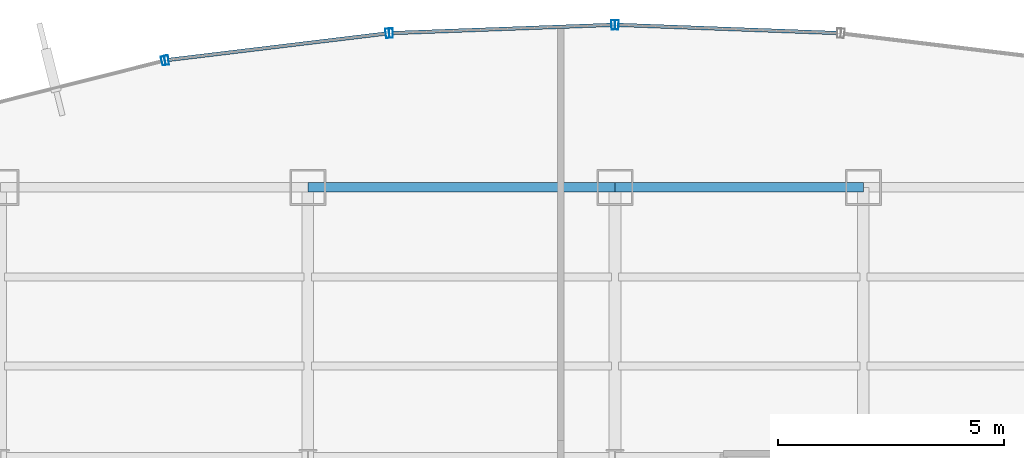
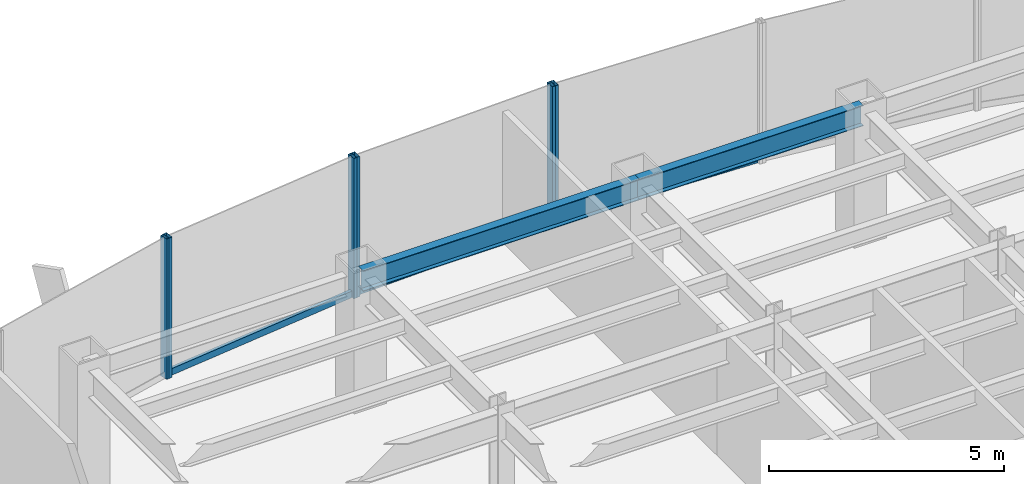
# One storey, part 16 of 26: 9 members, 2 beams, 4 elements without a shape of their own.
"""IFC4 building model written with IfcOpenShell, lengths in metres."""

from ifc_helpers import new_model, si_unit, derived_unit, direction, frame, origin, origin_2d, place, context, subcontext, project, spatial, hollow_rectangle, i_section, extrude, source, transform, mapped, material, material_profile, profile_set, type_object, element, aggregate, save


model = new_model("IFC4")

# Units and contexts
model_context = context("Model", 3, precision=1e-05, world=origin(), true_north=direction((0.0, 1.0)))
body_context = subcontext(model_context, "Body", "Model", "MODEL_VIEW")
ifc_project = project(units=[si_unit("LENGTHUNIT", "METRE"), si_unit("AREAUNIT", "SQUARE_METRE"), si_unit("VOLUMEUNIT", "CUBIC_METRE"), si_unit("PLANEANGLEUNIT", "RADIAN"), si_unit("MASSUNIT", "GRAM", prefix="KILO"), derived_unit("THERMALTRANSMITTANCEUNIT", [(si_unit("POWERUNIT", "WATT"), 1), (si_unit("LENGTHUNIT", "METRE"), -2), (si_unit("THERMODYNAMICTEMPERATUREUNIT", "KELVIN"), -1)])], contexts=[model_context])

# Site, building, storey
site_placement = place(None, origin())
site = spatial("IfcSite", under=ifc_project, at=site_placement, CompositionType="ELEMENT")
building_placement = place(site_placement, origin())
building = spatial("IfcBuilding", under=site, at=building_placement, Name="Skarnbrae Concourse Arena and Tower", CompositionType="ELEMENT")
storey_placement = place(building_placement, frame((0.0, 0.0, 117.85009765625)))
storey = spatial("IfcBuildingStorey", under=building, at=storey_placement, Name="L29", CompositionType="ELEMENT", Elevation=117.85009765625)

# Beams
ifc_material_1 = material(Name="Steel CSA G40.21 350W", Category="steel")
ifc_material_profile_1 = material_profile(ifc_material_1, i_section(OverallWidth=0.208984375, OverallDepth=0.532958984375, WebThickness=0.01025390625, FlangeThickness=0.015625, at=origin_2d()), Name="W530X92")
ifc_profile_set_1 = profile_set([ifc_material_profile_1], Name="Steel CSA G40.21 350W")
beam_type = type_object("IfcBeamType", Name="BM-SPAN-W530X92", PredefinedType="SPANDREL", material=ifc_profile_set_1)
shared_shape_1 = source(origin(), body_context, "Body", "SweptSolid", [
    extrude(i_section(OverallWidth=0.208984375, OverallDepth=0.532958984375, WebThickness=0.01025390625, FlangeThickness=0.015625, at=origin_2d()), origin(), (0.0, 0.0, 1.0), 6.800048828125),
])
beam_1_placement = place(storey_placement, frame((21.199951171875, 40.39990234375, 3.13330078125), z_axis=(1.0, 0.0, 0.0), x_axis=(0.0, 1.0, 0.0)))
element("IfcBeam", 1, at=beam_1_placement, inside=storey, type_object=beam_type, Name="L29 Perimeter spandrel Y40.4-2", PredefinedType="SPANDREL", context=body_context, shape_type="MappedRepresentation", body=[
    mapped(shared_shape_1, transform((0.0, 0.0, 0.0))),
])
shared_shape_2 = source(origin(), body_context, "Body", "SweptSolid", [
    extrude(i_section(OverallWidth=0.208984375, OverallDepth=0.532958984375, WebThickness=0.01025390625, FlangeThickness=0.015625, at=origin_2d()), origin(), (0.0, 0.0, 1.0), 5.5),
])
beam_2_placement = place(storey_placement, frame((28.0, 40.39990234375, 3.13330078125), z_axis=(1.0, 0.0, 0.0), x_axis=(0.0, 1.0, 0.0)))
element("IfcBeam", 2, at=beam_2_placement, inside=storey, type_object=beam_type, Name="L29 Perimeter spandrel Y40.4-3", PredefinedType="SPANDREL", context=body_context, shape_type="MappedRepresentation", body=[
    mapped(shared_shape_2, transform((0.0, 0.0, 0.0))),
])

# Curtain wall, member
ifc_material_2 = material(Name="Bronze anodised aluminium 6063-T6", Category="aluminium")
curtain_wall_type_1 = type_object("IfcCurtainWallType", Name="CW-SYS-03-PORTAL", PredefinedType="USERDEFINED", material=ifc_material_2)
curtain_wall_1_placement = place(storey_placement, origin())
curtain_wall_1 = element("IfcCurtainWall", 3, at=curtain_wall_1_placement, inside=storey, type_object=curtain_wall_type_1, Name="L29 Unitised curtain wall CW-L29-E11", ObjectType="UNITISED CURTAIN WALL", PredefinedType="USERDEFINED")
ifc_material_profile_2 = material_profile(ifc_material_2, hollow_rectangle(XDim=0.080078125, YDim=0.2099609375, WallThickness=0.00439453125, at=origin_2d()), Name="ALU-MULL-80X210")
ifc_profile_set_2 = profile_set([ifc_material_profile_2], Name="Bronze anodised aluminium 6063-T6")
member_type_1 = type_object("IfcMemberType", Name="CWM-CW-03", PredefinedType="MULLION", material=ifc_profile_set_2)
shared_shape_3 = source(origin(), body_context, "Body", "SweptSolid", [
    extrude(hollow_rectangle(XDim=0.080078125, YDim=0.2099609375, WallThickness=0.00439453125, at=origin_2d()), origin(), (0.0, 0.0, 1.0), 3.64990234375),
])
member_1_placement = place(storey_placement, frame((28.0400390625, 43.99853515625, 0.0), z_axis=(0.0, 0.0, 1.0), x_axis=(-0.999308486252, 0.037182647889, 0.0)))
member_1 = element("IfcMember", 4, at=member_1_placement, type_object=member_type_1, Name="CW-L29-E11 Mullion 2", PredefinedType="MULLION", context=body_context, shape_type="MappedRepresentation", body=[
    mapped(shared_shape_3, transform((0.0, 0.0, 0.0))),
])

# Curtain wall, members
curtain_wall_2_placement = place(storey_placement, origin())
curtain_wall_2 = element("IfcCurtainWall", 5, at=curtain_wall_2_placement, inside=storey, type_object=curtain_wall_type_1, Name="L29 Unitised curtain wall CW-L29-E12", ObjectType="UNITISED CURTAIN WALL", PredefinedType="USERDEFINED")
member_2_placement = place(storey_placement, frame((27.9599609375, 43.99853515625, 0.0), z_axis=(0.0, 0.0, 1.0), x_axis=(-0.999308486252, -0.037182647889, 0.0)))
member_2 = element("IfcMember", 6, at=member_2_placement, type_object=member_type_1, Name="CW-L29-E12 Mullion 1", PredefinedType="MULLION", context=body_context, shape_type="MappedRepresentation", body=[
    mapped(shared_shape_3, transform((0.0, 0.0, 0.0))),
])
member_3_placement = place(storey_placement, frame((23.041015625, 43.8154296875, 0.0), z_axis=(0.0, 0.0, 1.0), x_axis=(-0.999308486252, -0.037182647889, 0.0)))
member_3 = element("IfcMember", 7, at=member_3_placement, type_object=member_type_1, Name="CW-L29-E12 Mullion 2", PredefinedType="MULLION", context=body_context, shape_type="MappedRepresentation", body=[
    mapped(shared_shape_3, transform((0.0, 0.0, 0.0))),
])

curtain_wall_3_placement = place(storey_placement, origin())
curtain_wall_3 = element("IfcCurtainWall", 8, at=curtain_wall_3_placement, inside=storey, type_object=curtain_wall_type_1, Name="L29 Unitised curtain wall CW-L29-E13", ObjectType="UNITISED CURTAIN WALL", PredefinedType="USERDEFINED")
member_4_placement = place(storey_placement, frame((22.96142578125, 43.80908203125, 0.0), z_axis=(0.0, 0.0, 1.0), x_axis=(-0.992749371969, -0.120202680731, 0.0)))
member_4 = element("IfcMember", 9, at=member_4_placement, type_object=member_type_1, Name="CW-L29-E13 Mullion 1", PredefinedType="MULLION", context=body_context, shape_type="MappedRepresentation", body=[
    mapped(shared_shape_3, transform((0.0, 0.0, 0.0))),
])
member_5_placement = place(storey_placement, frame((18.075439453125, 43.217529296875, 0.0), z_axis=(0.0, 0.0, 1.0), x_axis=(-0.992749371969, -0.120202680731, 0.0)))
member_5 = element("IfcMember", 10, at=member_5_placement, type_object=member_type_1, Name="CW-L29-E13 Mullion 2", PredefinedType="MULLION", context=body_context, shape_type="MappedRepresentation", body=[
    mapped(shared_shape_3, transform((0.0, 0.0, 0.0))),
])

# Curtain wall, member
curtain_wall_type_2 = type_object("IfcCurtainWallType", Name="CW-SYS-04-MIDZONE", PredefinedType="USERDEFINED", material=ifc_material_2)
curtain_wall_4_placement = place(storey_placement, origin())
curtain_wall_4 = element("IfcCurtainWall", 11, at=curtain_wall_4_placement, inside=storey, type_object=curtain_wall_type_2, Name="L29 Unitised curtain wall CW-L29-E14", ObjectType="UNITISED CURTAIN WALL", PredefinedType="USERDEFINED")
ifc_material_profile_3 = material_profile(ifc_material_2, hollow_rectangle(XDim=0.074951171875, YDim=0.195068359375, WallThickness=0.00439453125, at=origin_2d()), Name="ALU-MULL-75X195")
ifc_profile_set_3 = profile_set([ifc_material_profile_3], Name="Bronze anodised aluminium 6063-T6")
member_type_2 = type_object("IfcMemberType", Name="CWM-CW-04", PredefinedType="MULLION", material=ifc_profile_set_3)
shared_shape_4 = source(origin(), body_context, "Body", "SweptSolid", [
    extrude(hollow_rectangle(XDim=0.074951171875, YDim=0.195068359375, WallThickness=0.00439453125, at=origin_2d()), origin(), (0.0, 0.0, 1.0), 3.64990234375),
])
member_6_placement = place(storey_placement, frame((17.99951171875, 43.20361328125, 0.0), z_axis=(0.0, 0.0, 1.0), x_axis=(-0.969903046166, -0.243491439351, 0.0)))
member_6 = element("IfcMember", 12, at=member_6_placement, type_object=member_type_2, Name="CW-L29-E14 Mullion 1", PredefinedType="MULLION", context=body_context, shape_type="MappedRepresentation", body=[
    mapped(shared_shape_4, transform((0.0, 0.0, 0.0))),
])
aggregate(curtain_wall_4, [member_6])

# Member
ifc_material_profile_4 = material_profile(ifc_material_2, hollow_rectangle(XDim=0.080078125, YDim=0.169921875, WallThickness=0.00439453125, at=origin_2d()), Name="ALU-TRAN-80X170")
ifc_profile_set_4 = profile_set([ifc_material_profile_4], Name="Bronze anodised aluminium 6063-T6")
member_type_3 = type_object("IfcMemberType", Name="CWT-CW-03", PredefinedType="USERDEFINED", material=ifc_profile_set_4)
shared_shape_5 = source(origin(), body_context, "Body", "SweptSolid", [
    extrude(hollow_rectangle(XDim=0.080078125, YDim=0.169921875, WallThickness=0.00439453125, at=origin_2d()), origin(), (0.0, 0.0, 1.0), 4.841552734375),
])
member_7_placement = place(storey_placement, frame((22.921630859375, 43.804443359375, 0.0849609375), z_axis=(-0.992747648444, -0.120216914405, 0.0), x_axis=(0.120216914405, -0.992747648444, 0.0)))
member_7 = element("IfcMember", 13, at=member_7_placement, type_object=member_type_3, Name="CW-L29-E13 Transom 1", ObjectType="TRANSOM", PredefinedType="USERDEFINED", context=body_context, shape_type="MappedRepresentation", body=[
    mapped(shared_shape_5, transform((0.0, 0.0, 0.0))),
])

aggregate(curtain_wall_3, [member_4, member_5, member_7])

shared_shape_6 = source(origin(), body_context, "Body", "SweptSolid", [
    extrude(hollow_rectangle(XDim=0.080078125, YDim=0.169921875, WallThickness=0.00439453125, at=origin_2d()), origin(), (0.0, 0.0, 1.0), 4.842529296875),
])
member_8_placement = place(storey_placement, frame((32.9189453125, 43.81689453125, 0.0849609375), z_axis=(-0.999307562882, 0.0372074558, 0.0), x_axis=(-0.0372074558, -0.999307562882, 0.0)))
member_8 = element("IfcMember", 14, at=member_8_placement, type_object=member_type_3, Name="CW-L29-E11 Transom 1", ObjectType="TRANSOM", PredefinedType="USERDEFINED", context=body_context, shape_type="MappedRepresentation", body=[
    mapped(shared_shape_6, transform((0.0, 0.0, 0.0))),
])

aggregate(curtain_wall_1, [member_1, member_8])

member_9_placement = place(storey_placement, frame((27.920166015625, 43.9970703125, 0.0849609375), z_axis=(-0.999307562882, -0.0372074558, 0.0), x_axis=(0.0372074558, -0.999307562882, 0.0)))
member_9 = element("IfcMember", 15, at=member_9_placement, type_object=member_type_3, Name="CW-L29-E12 Transom 1", ObjectType="TRANSOM", PredefinedType="USERDEFINED", context=body_context, shape_type="MappedRepresentation", body=[
    mapped(shared_shape_6, transform((0.0, 0.0, 0.0))),
])

aggregate(curtain_wall_2, [member_2, member_3, member_9])

save(model, "model.ifc")
